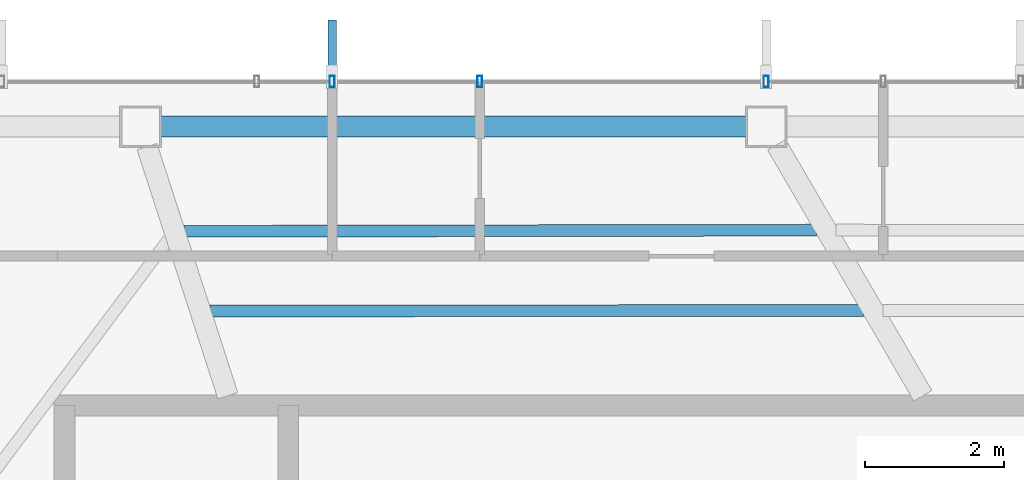
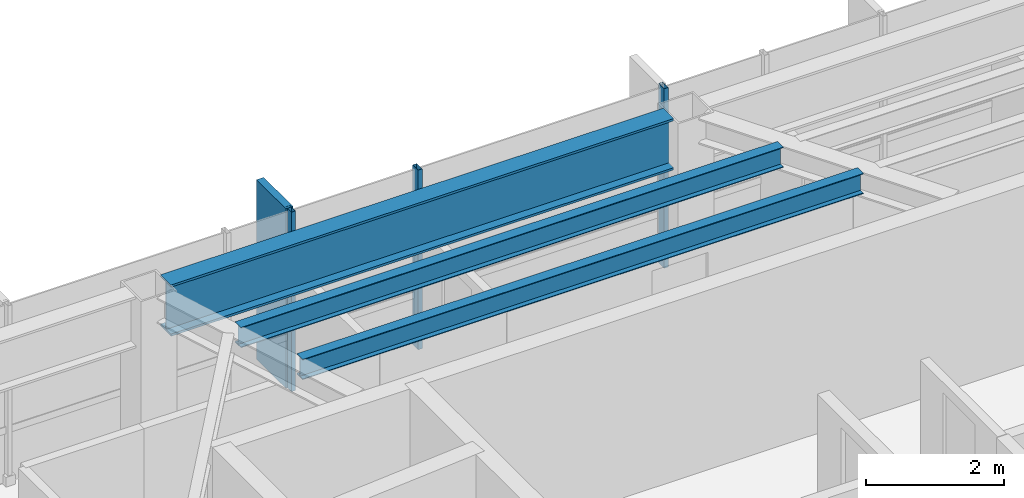
# One storey, part 12 of 25: 4 members, 3 beams, 1 element without a shape of its own.
"""IFC4 building model written with IfcOpenShell, lengths in metres."""

from ifc_helpers import new_model, si_unit, direction, frame, origin, origin_2d, place, context, subcontext, project, spatial, rectangle, hollow_rectangle, i_section, extrude, material, layer, layer_set, material_profile, profile_set, type_object, element, aggregate, save


model = new_model("IFC4")

# Units and contexts
model_context = context("Model", 3, precision=1e-05, world=origin(), true_north=direction((0.0, 1.0)))
body_context = subcontext(model_context, "Body", "Model", "MODEL_VIEW")
ifc_project = project(units=[si_unit("LENGTHUNIT", "METRE"), si_unit("AREAUNIT", "SQUARE_METRE"), si_unit("VOLUMEUNIT", "CUBIC_METRE"), si_unit("PLANEANGLEUNIT", "RADIAN"), si_unit("MASSUNIT", "GRAM", prefix="KILO")], contexts=[model_context])

# Site, building, storey
site_placement = place(None, origin())
site = spatial("IfcSite", under=ifc_project, at=site_placement, CompositionType="ELEMENT")
building_placement = place(site_placement, origin())
building = spatial("IfcBuilding", under=site, at=building_placement, Name="Zarrinselat Tower", CompositionType="ELEMENT")
storey_placement = place(building_placement, frame((0.0, 0.0, 239.360107421875)))
storey = spatial("IfcBuildingStorey", under=building, at=storey_placement, Name="L60", CompositionType="ELEMENT", Elevation=239.360107421875)

# Beams
ifc_material_1 = material(Name="Steel S460M", Category="steel")
ifc_material_profile_1 = material_profile(ifc_material_1, i_section(OverallWidth=0.302001953125, OverallDepth=0.909912109375, WebThickness=0.02099609375, FlangeThickness=0.0400390625, at=origin_2d()), Name="HEM 900")
ifc_profile_set_1 = profile_set([ifc_material_profile_1], Name="Steel S460M")
beam_type_1 = type_object("IfcBeamType", Name="BM-HEM900", PredefinedType="BEAM", material=ifc_profile_set_1)
beam_1_placement = place(storey_placement, frame((30.0322265625, 47.4111328125, 2.724853515625), z_axis=(1.0, 0.0, 0.0), x_axis=(0.0, 1.0, 0.0)))
element("IfcBeam", 1, at=beam_1_placement, inside=storey, type_object=beam_type_1, Name="L60 Perimeter Spandrel Girder SP03", PredefinedType="BEAM", context=body_context, shape_type="SweptSolid", body=[
    extrude(i_section(OverallWidth=0.302001953125, OverallDepth=0.909912109375, WebThickness=0.02099609375, FlangeThickness=0.0400390625, at=origin_2d()), origin(), (0.0, 0.0, 1.0), 8.424560546875),
])
ifc_material_2 = material(Name="Steel S355J2", Category="steel")
ifc_material_profile_2 = material_profile(ifc_material_2, i_section(OverallWidth=0.169921875, OverallDepth=0.360107421875, WebThickness=0.008056640625, FlangeThickness=0.0126953125, at=origin_2d()), Name="IPE 360")
ifc_profile_set_2 = profile_set([ifc_material_profile_2], Name="Steel S355J2")
beam_type_2 = type_object("IfcBeamType", Name="BM-IPE360", PredefinedType="JOIST", material=ifc_profile_set_2)
beam_2_placement = place(storey_placement, frame((30.372802734375, 45.905517578125, 3.0), z_axis=(0.999998236213, 0.001878182896, 0.0), x_axis=(-0.001878182896, 0.999998236213, 0.0)))
element("IfcBeam", 2, at=beam_2_placement, inside=storey, type_object=beam_type_2, Name="L60 Composite Floor Joist 8-1", PredefinedType="JOIST", context=body_context, shape_type="SweptSolid", body=[
    extrude(i_section(OverallWidth=0.169921875, OverallDepth=0.360107421875, WebThickness=0.008056640625, FlangeThickness=0.0126953125, at=origin_2d()), origin(), (0.0, 0.0, 1.0), 9.09912109375),
])
beam_3_placement = place(storey_placement, frame((30.74462890625, 44.758544921875, 3.0), z_axis=(0.999999562918, 0.000934967387, 0.0), x_axis=(-0.000934967387, 0.999999562918, 0.0)))
element("IfcBeam", 3, at=beam_3_placement, inside=storey, type_object=beam_type_2, Name="L60 Composite Floor Joist 8-2", PredefinedType="JOIST", context=body_context, shape_type="SweptSolid", body=[
    extrude(i_section(OverallWidth=0.169921875, OverallDepth=0.360107421875, WebThickness=0.008056640625, FlangeThickness=0.0126953125, at=origin_2d()), origin(), (0.0, 0.0, 1.0), 9.400390625),
])

# Curtain wall, members
ifc_material_3 = material(Name="Extruded Aluminium Alloy EN AW-6063 T6", Category="aluminium")
ifc_layer = layer(ifc_material_3, 0.169921875)
ifc_layer_set = layer_set([ifc_layer], Name="Extruded Aluminium Alloy EN AW-6063 T6")
curtain_wall_type = type_object("IfcCurtainWallType", Name="CWS-RES", PredefinedType="NOTDEFINED", material=ifc_layer_set)
curtain_wall_placement = place(storey_placement, origin())
curtain_wall = element("IfcCurtainWall", 4, at=curtain_wall_placement, inside=storey, type_object=curtain_wall_type, Name="L60 Unitised Curtain Wall CW-L60-E01", PredefinedType="NOTDEFINED")
ifc_material_4 = material(Name="Extruded Aluminium Alloy EN AW-6063 T6", Category="aluminium")
ifc_material_profile_3 = material_profile(ifc_material_4, hollow_rectangle(XDim=0.070068359375, YDim=0.159912109375, WallThickness=0.00390625, at=origin_2d()), Name="RHS 160x70x4")
ifc_profile_set_3 = profile_set([ifc_material_profile_3], Name="Extruded Aluminium Alloy EN AW-6063 T6")
member_type_1 = type_object("IfcMemberType", Name="MEM-CW-MUL2", PredefinedType="MULLION", material=ifc_profile_set_3)
member_1_placement = place(storey_placement, frame((38.744873046875, 48.06103515625, 0.0), z_axis=(0.0, 0.0, 1.0), x_axis=(-1.0, 0.0, 0.0)))
member_1 = element("IfcMember", 5, at=member_1_placement, type_object=member_type_1, Name="CW-L60-E01 Mullion 7", PredefinedType="MULLION", context=body_context, shape_type="SweptSolid", body=[
    extrude(hollow_rectangle(XDim=0.070068359375, YDim=0.159912109375, WallThickness=0.00390625, at=origin_2d()), origin(), (0.0, 0.0, 1.0), 3.179931640625),
])
member_2_placement = place(storey_placement, frame((34.6240234375, 48.06103515625, 0.0), z_axis=(0.0, 0.0, 1.0), x_axis=(-1.0, 0.0, 0.0)))
member_2 = element("IfcMember", 6, at=member_2_placement, type_object=member_type_1, Name="CW-L60-E01 Mullion 8", PredefinedType="MULLION", context=body_context, shape_type="SweptSolid", body=[
    extrude(hollow_rectangle(XDim=0.070068359375, YDim=0.159912109375, WallThickness=0.00390625, at=origin_2d()), origin(), (0.0, 0.0, 1.0), 3.179931640625),
])
member_3_placement = place(storey_placement, frame((32.5, 48.06103515625, 0.0), z_axis=(0.0, 0.0, 1.0), x_axis=(-1.0, 0.0, 0.0)))
member_3 = element("IfcMember", 7, at=member_3_placement, type_object=member_type_1, Name="CW-L60-E01 Mullion 9", PredefinedType="MULLION", context=body_context, shape_type="SweptSolid", body=[
    extrude(hollow_rectangle(XDim=0.070068359375, YDim=0.159912109375, WallThickness=0.00390625, at=origin_2d()), origin(), (0.0, 0.0, 1.0), 3.179931640625),
])
ifc_material_5 = material(Name="Honed Cream Travertine Stone", Category="masonry")
ifc_material_profile_4 = material_profile(ifc_material_5, rectangle(XDim=0.1201171875, YDim=0.85009765625, at=origin_2d()), Name="FIN 850x120")
ifc_profile_set_4 = profile_set([ifc_material_profile_4], Name="Honed Cream Travertine Stone")
member_type_2 = type_object("IfcMemberType", Name="MEM-STONE-FIN", PredefinedType="USERDEFINED", material=ifc_profile_set_4)
member_4_placement = place(storey_placement, frame((32.5, 48.52099609375, 0.0), z_axis=(0.0, 0.0, 1.0), x_axis=(1.0, 0.0, 0.0)))
member_4 = element("IfcMember", 8, at=member_4_placement, type_object=member_type_2, Name="L60 Stone Shading Fin CW-L60-E01-09", ObjectType="FIN", PredefinedType="USERDEFINED", context=body_context, shape_type="SweptSolid", body=[
    extrude(rectangle(XDim=0.1201171875, YDim=0.85009765625, at=origin_2d()), origin(), (0.0, 0.0, 1.0), 3.179931640625),
])
aggregate(curtain_wall, [member_1, member_2, member_3, member_4])

save(model, "model.ifc")
